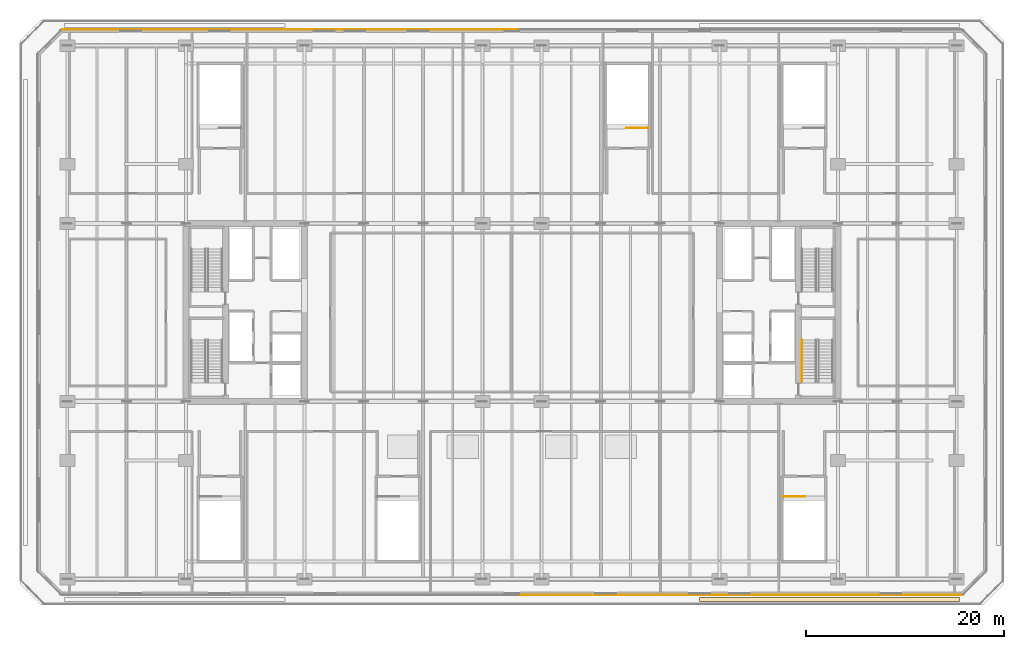
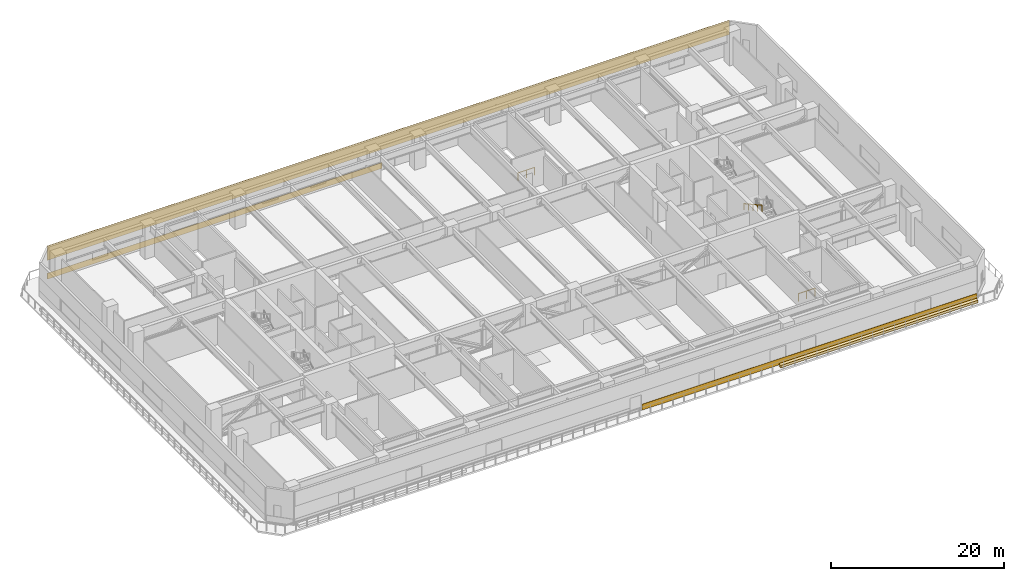
# One storey, part 21 of 25: 4 coverings, 3 railings.
"""IFC4 building model written with IfcOpenShell, lengths in metres."""

from ifc_helpers import new_model, si_unit, direction, frame, origin, origin_2d, place, context, subcontext, project, spatial, polyline, rectangle, outline, extrude, material, layer, layer_set, type_object, element, save


model = new_model("IFC4")

# Units and contexts
model_context = context("Model", 3, precision=1e-05, world=origin(), true_north=direction((0.0, 1.0)))
body_context = subcontext(model_context, "Body", "Model", "MODEL_VIEW")
ifc_project = project(units=[si_unit("LENGTHUNIT", "METRE"), si_unit("AREAUNIT", "SQUARE_METRE"), si_unit("VOLUMEUNIT", "CUBIC_METRE"), si_unit("PLANEANGLEUNIT", "RADIAN"), si_unit("MASSUNIT", "GRAM", prefix="KILO")], contexts=[model_context])

# Site, building, storey
site_placement = place(None, origin())
site = spatial("IfcSite", under=ifc_project, at=site_placement, CompositionType="ELEMENT")
building_placement = place(site_placement, origin())
building = spatial("IfcBuilding", under=site, at=building_placement, Name="Tanjung Sevakor Pilgrim Tower", CompositionType="ELEMENT")
storey_placement = place(building_placement, frame((0.0, 0.0, 24.090087890625)))
storey = spatial("IfcBuildingStorey", under=building, at=storey_placement, Name="L06", CompositionType="ELEMENT", Elevation=24.090087890625)

# Coverings
ifc_material_1 = material(Name="Reconstructed Limestone Cladding", Category="masonry")
ifc_layer_1 = layer(ifc_material_1, 0.044921875)
ifc_layer_set_1 = layer_set([ifc_layer_1], Name="COV-CLAD-LIMESTONE")
covering_type_1 = type_object("IfcCoveringType", Name="COV-CLAD-LIMESTONE", PredefinedType="CLADDING", material=ifc_layer_set_1)
for number, where, z_axis, x_axis, name in (
    (1, (80.156005859375, 4.9775390625, 0.009765625), (0.0, 0.0, 1.0), (1.0, 0.0, 0.0), "L06 Warm Limestone Sill Spandrel EW-L06-MAIN-1-2"),
    (2, (33.843994140625, 62.222412109375, 0.009765625), (0.0, 0.0, 1.0), (-1.0, 0.0, 0.0), "L06 Warm Limestone Sill Spandrel EW-L06-MAIN-5-2"),
):
    element("IfcCovering", number, at=place(storey_placement, frame(where, z_axis=z_axis, x_axis=x_axis)), inside=storey, type_object=covering_type_1, Name=name, PredefinedType="CLADDING", context=body_context, shape_type="SweptSolid", body=[
        extrude(rectangle(XDim=44.69189453125, YDim=0.044921875, at=origin_2d()), origin(), (0.0, 0.0, 1.0), 0.840087890625),
    ])
covering_1_placement = place(storey_placement, frame((57.0, 62.222412109375, 2.659912109375), z_axis=(0.0, 0.0, 1.0), x_axis=(-1.0, 0.0, 0.0)))
element("IfcCovering", 3, at=covering_1_placement, inside=storey, type_object=covering_type_1, Name="L06 Warm Limestone Cornice Spandrel EW-L06-MAIN-5", PredefinedType="CLADDING", context=body_context, shape_type="SweptSolid", body=[
    extrude(rectangle(XDim=91.0439453125, YDim=0.044921875, at=origin_2d()), origin(), (0.0, 0.0, 1.0), 2.0400390625),
])
ifc_material_2 = material(Name="Vegetated Modular Planter Assembly", Category="organic")
ifc_layer_2 = layer(ifc_material_2, 0.35009765625)
ifc_layer_set_2 = layer_set([ifc_layer_2], Name="COV-GRN-TROUGH")
covering_type_2 = type_object("IfcCoveringType", Name="COV-GRN-TROUGH", PredefinedType="CLADDING", material=ifc_layer_set_2)
covering_2_placement = place(storey_placement, origin())
element("IfcCovering", 4, at=covering_2_placement, inside=storey, type_object=covering_type_2, Name="L06 Planted Landscape Hedge Trough PGRN-L06-SE", PredefinedType="CLADDING", context=body_context, shape_type="SweptSolid", body=[
    extrude(outline(polyline([(76.0, 4.330078125), (102.300048828125, 4.330078125), (102.300048828125, 4.77001953125), (76.0, 4.77001953125), (76.0, 4.330078125)])), origin(), (0.0, 0.0, 1.0), 0.349853515625),
])

# Railings
ifc_material_3 = material(Name="Steel S355J2", Category="steel")
railing_type_1 = type_object("IfcRailingType", Name="RL-STAIR-GUARD", PredefinedType="GUARDRAIL", material=ifc_material_3)
railing_1_placement = place(storey_placement, frame((70.800048828125, 52.25, 0.0)))
element("IfcRailing", 5, at=railing_1_placement, inside=storey, type_object=railing_type_1, Name="L06 PS-4 top well guard 1", PredefinedType="GUARDRAIL", context=body_context, shape_type="SweptSolid", body=[
    extrude(rectangle(XDim=0.0479, YDim=0.0479), frame((0.0, 0.0, 1.076171875), z_axis=(-1.0, 0.0, 0.0), x_axis=(0.0, -1.0, 0.0)), (0.0, 0.0, 1.0), 2.199951171875),
    extrude(rectangle(XDim=0.042, YDim=0.042), origin(), (0.0, 0.0, 1.0), 1.052001953125),
    extrude(rectangle(XDim=0.042, YDim=0.042), frame((-1.10009765625, 0.0, 0.0)), (0.0, 0.0, 1.0), 1.052001953125),
    extrude(rectangle(XDim=0.042, YDim=0.042), frame((-2.199951171875, 0.0, 0.0)), (0.0, 0.0, 1.0), 1.052001953125),
])
railing_2_placement = place(storey_placement, frame((84.449951171875, 14.949951171875, 0.0)))
element("IfcRailing", 6, at=railing_2_placement, inside=storey, type_object=railing_type_1, Name="L06 PS-5 top well guard 1", PredefinedType="GUARDRAIL", context=body_context, shape_type="SweptSolid", body=[
    extrude(rectangle(XDim=0.0479, YDim=0.0479), frame((0.0, 0.0, 1.076171875), z_axis=(1.0, 0.0, 0.0), x_axis=(0.0, 1.0, 0.0)), (0.0, 0.0, 1.0), 2.199951171875),
    extrude(rectangle(XDim=0.042, YDim=0.042), origin(), (0.0, 0.0, 1.0), 1.052001953125),
    extrude(rectangle(XDim=0.042, YDim=0.042), frame((1.10009765625, 0.0, 0.0)), (0.0, 0.0, 1.0), 1.052001953125),
    extrude(rectangle(XDim=0.042, YDim=0.042), frame((2.199951171875, 0.0, 0.0)), (0.0, 0.0, 1.0), 1.052001953125),
])
ifc_material_4 = material(Name="Steel S355J2", Category="steel")
railing_type_2 = type_object("IfcRailingType", Name="RL-STAIR-HAND", PredefinedType="HANDRAIL", material=ifc_material_4)
railing_3_placement = place(storey_placement, frame((86.35009765625, 30.800048828125, 2.639892578125)))
element("IfcRailing", 7, at=railing_3_placement, inside=storey, type_object=railing_type_2, Name="L06 TS-E1 stair handrail 2", PredefinedType="HANDRAIL", context=body_context, shape_type="SweptSolid", body=[
    extrude(rectangle(XDim=0.0479, YDim=0.0479), frame((0.0, 0.0, 0.8759765625), z_axis=(0.0, -0.876208380975, 0.481932436249), x_axis=(1.0, 0.0, 0.0)), (0.0, 0.0, 1.0), 4.793212890625),
    extrude(rectangle(XDim=0.042, YDim=0.042), origin(), (0.0, 0.0, 1.0), 0.851806640625),
    extrude(rectangle(XDim=0.042, YDim=0.042), frame((0.0, -1.050048828125, 0.57763671875)), (0.0, 0.0, 1.0), 0.851806640625),
    extrude(rectangle(XDim=0.042, YDim=0.042), frame((0.0, -2.10009765625, 1.155029296875)), (0.0, 0.0, 1.0), 0.851806640625),
    extrude(rectangle(XDim=0.042, YDim=0.042), frame((0.0, -3.14990234375, 1.732421875)), (0.0, 0.0, 1.0), 0.851806640625),
    extrude(rectangle(XDim=0.042, YDim=0.042), frame((0.0, -4.199951171875, 2.31005859375)), (0.0, 0.0, 1.0), 0.851806640625),
])

save(model, "model.ifc")
